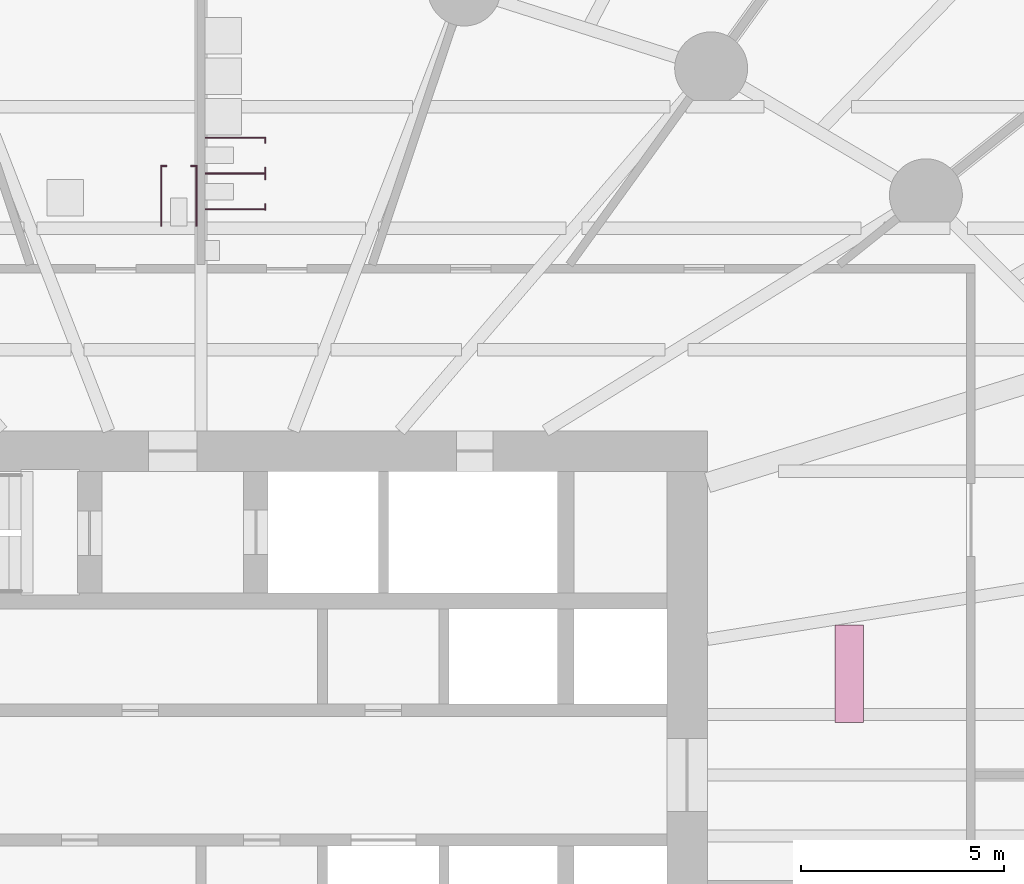
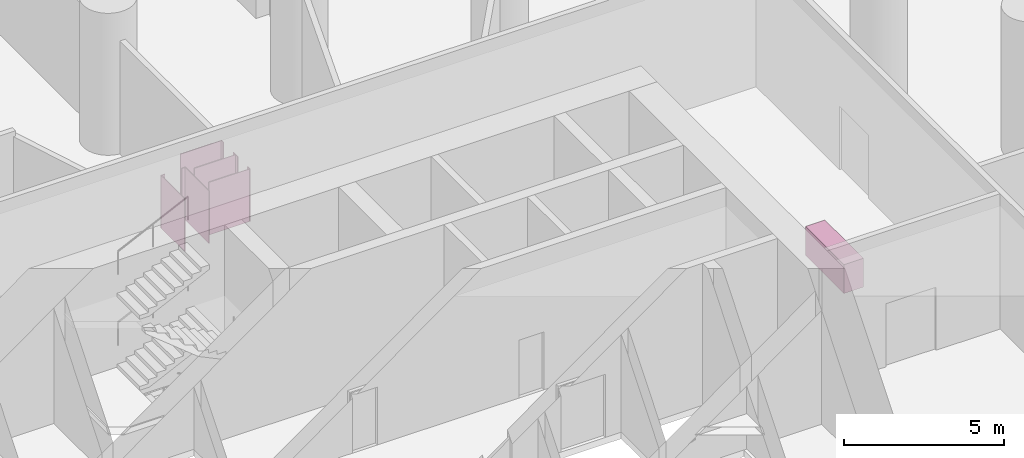
# One storey, part 22 of 23: 12 furniture elements.
"""IFC4 building model written with IfcOpenShell, lengths in metres."""

from ifc_helpers import new_model, si_unit, direction, frame, origin, origin_2d, place, context, subcontext, project, spatial, rectangle, extrude, element, save


model = new_model("IFC4")

# Units and contexts
model_context = context("Model", 3, precision=1e-05, world=origin(), true_north=direction((0.0, 1.0)))
body_context = subcontext(model_context, "Body", "Model", "MODEL_VIEW")
ifc_project = project(units=[si_unit("LENGTHUNIT", "METRE"), si_unit("AREAUNIT", "SQUARE_METRE"), si_unit("VOLUMEUNIT", "CUBIC_METRE"), si_unit("PLANEANGLEUNIT", "RADIAN"), si_unit("MASSUNIT", "GRAM", prefix="KILO")], contexts=[model_context])

# Site, building, storey
site_placement = place(None, origin())
site = spatial("IfcSite", under=ifc_project, at=site_placement, CompositionType="ELEMENT")
building_placement = place(site_placement, origin())
building = spatial("IfcBuilding", under=site, at=building_placement, Name="Hankou Lantern Tower", CompositionType="ELEMENT")
storey_placement = place(building_placement, frame((0.0, 0.0, 19.199951171875)))
storey = spatial("IfcBuildingStorey", under=building, at=storey_placement, Name="L03", CompositionType="ELEMENT", Elevation=19.199951171875)

# Furniture
for number, where, z_axis, x_axis, name in (
    (1, (0.8349609375, 13.965087890625, 0.0), (0.0, 0.0, 1.0), (0.0, 1.0, 0.0), "Male changing room cubicle partition 1"),
    (2, (0.8349609375, 14.85009765625, 0.0), (0.0, 0.0, 1.0), (0.0, 1.0, 0.0), "Male changing room cubicle partition 2"),
    (3, (0.8349609375, 15.735107421875, 0.0), (0.0, 0.0, 1.0), (0.0, 1.0, 0.0), "Male changing room cubicle partition 3"),
):
    element("IfcFurniture", number, at=place(storey_placement, frame(where, z_axis=z_axis, x_axis=x_axis)), inside=storey, Name=name, ObjectType="WC cubicle partition", PredefinedType="USERDEFINED", context=body_context, shape_type="SweptSolid", body=[
        extrude(rectangle(XDim=0.030029296875, YDim=1.469970703125, at=origin_2d()), origin(), (0.0, 0.0, 1.0), 2.0),
    ])
for number, where, z_axis, x_axis, name in (
    (4, (1.5849609375, 14.02490234375, 0.0), (0.0, 0.0, 1.0), (0.0, 1.0, 0.0), "Male changing room cubicle partition 4"),
    (5, (1.5849609375, 14.77490234375, 0.0), (0.0, 0.0, 1.0), (0.0, 1.0, 0.0), "Male changing room cubicle partition 5"),
    (6, (1.5849609375, 14.925048828125, 0.0), (0.0, 0.0, 1.0), (0.0, 1.0, 0.0), "Male changing room cubicle partition 6"),
    (7, (1.5849609375, 15.675048828125, 0.0), (0.0, 0.0, 1.0), (0.0, 1.0, 0.0), "Male changing room cubicle partition 7"),
):
    element("IfcFurniture", number, at=place(storey_placement, frame(where, z_axis=z_axis, x_axis=x_axis)), inside=storey, Name=name, ObjectType="WC cubicle partition", PredefinedType="USERDEFINED", context=body_context, shape_type="SweptSolid", body=[
        extrude(rectangle(XDim=0.14990234375, YDim=0.030029296875, at=origin_2d()), origin(), (0.0, 0.0, 1.0), 2.0),
    ])
for number, where, z_axis, x_axis, name in (
    (8, (-0.114990234375, 14.284912109375, 0.0), (0.0, 0.0, 1.0), (-1.0, 0.0, 0.0), "Female changing room cubicle partition 1"),
    (9, (-0.985107421875, 14.284912109375, 0.0), (0.0, 0.0, 1.0), (-1.0, 0.0, 0.0), "Female changing room cubicle partition 2"),
):
    element("IfcFurniture", number, at=place(storey_placement, frame(where, z_axis=z_axis, x_axis=x_axis)), inside=storey, Name=name, ObjectType="WC cubicle partition", PredefinedType="USERDEFINED", context=body_context, shape_type="SweptSolid", body=[
        extrude(rectangle(XDim=0.030029296875, YDim=1.469970703125, at=origin_2d()), origin(), (0.0, 0.0, 1.0), 2.0),
    ])
for number, where, z_axis, x_axis, name in (
    (10, (-0.175048828125, 15.034912109375, 0.0), (0.0, 0.0, 1.0), (-1.0, 0.0, 0.0), "Female changing room cubicle partition 3"),
    (11, (-0.925048828125, 15.034912109375, 0.0), (0.0, 0.0, 1.0), (-1.0, 0.0, 0.0), "Female changing room cubicle partition 4"),
):
    element("IfcFurniture", number, at=place(storey_placement, frame(where, z_axis=z_axis, x_axis=x_axis)), inside=storey, Name=name, ObjectType="WC cubicle partition", PredefinedType="USERDEFINED", context=body_context, shape_type="SweptSolid", body=[
        extrude(rectangle(XDim=0.14990234375, YDim=0.030029296875, at=origin_2d()), origin(), (0.0, 0.0, 1.0), 2.0),
    ])
furniture_placement = place(storey_placement, frame((16.0, 2.5, 0.0), z_axis=(0.0, 0.0, 1.0), x_axis=(0.0, 1.0, 0.0)))
element("IfcFurniture", 12, at=furniture_placement, inside=storey, Name="Spa reception desk", ObjectType="Reception desk", PredefinedType="USERDEFINED", context=body_context, shape_type="SweptSolid", body=[
    extrude(rectangle(XDim=2.39990234375, YDim=0.699951171875, at=origin_2d()), origin(), (0.0, 0.0, 1.0), 1.10009765625),
])

save(model, "model.ifc")
